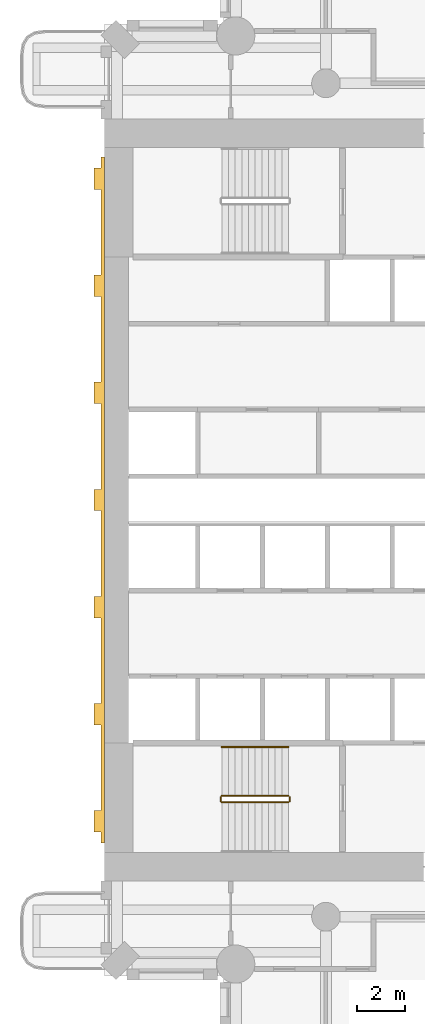
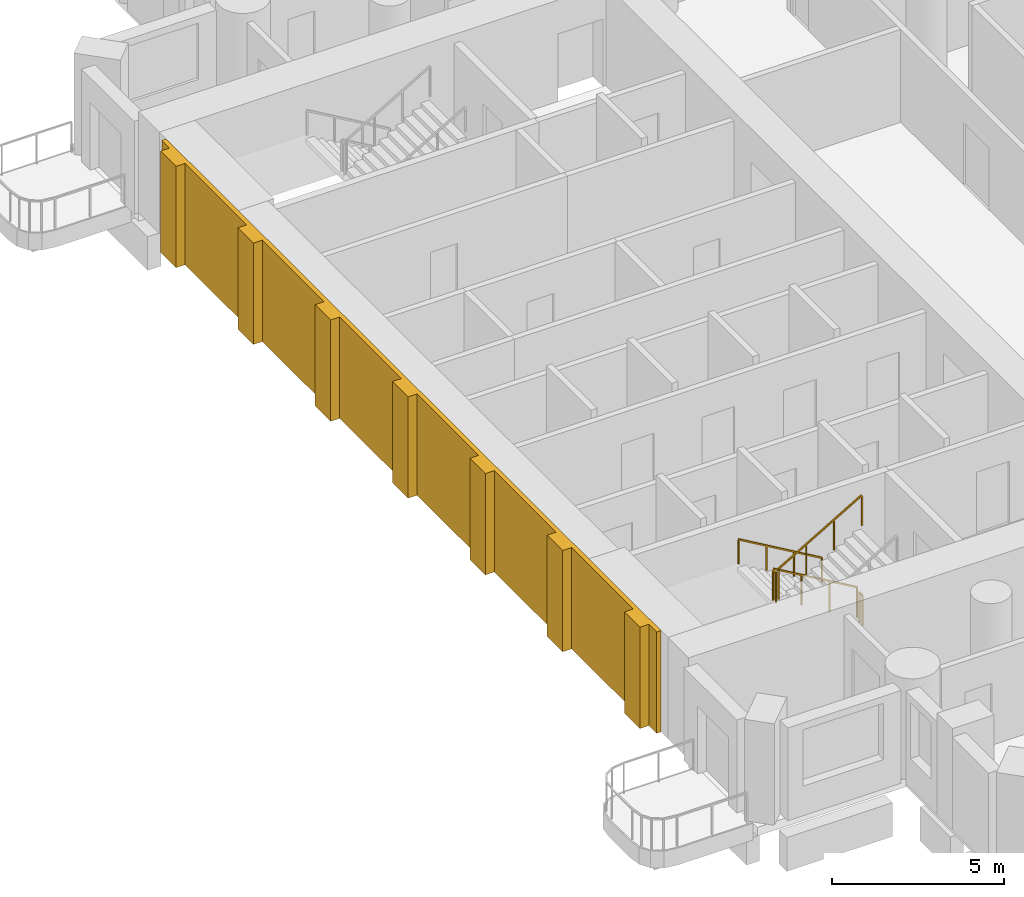
# One storey, part 14 of 20: 5 railings, 1 covering.
"""IFC4 building model written with IfcOpenShell, lengths in metres."""

from ifc_helpers import new_model, si_unit, direction, frame, origin, origin_2d, place, context, subcontext, project, spatial, polyline, rectangle, outline, extrude, material, layer, layer_set, type_object, element, save


model = new_model("IFC4")

# Units and contexts
model_context = context("Model", 3, precision=1e-05, world=origin(), true_north=direction((0.0, 1.0)))
body_context = subcontext(model_context, "Body", "Model", "MODEL_VIEW")
ifc_project = project(units=[si_unit("LENGTHUNIT", "METRE"), si_unit("AREAUNIT", "SQUARE_METRE"), si_unit("VOLUMEUNIT", "CUBIC_METRE"), si_unit("PLANEANGLEUNIT", "RADIAN"), si_unit("MASSUNIT", "GRAM", prefix="KILO")], contexts=[model_context])

# Site, building, storey
site_placement = place(None, origin())
site = spatial("IfcSite", under=ifc_project, at=site_placement, CompositionType="ELEMENT")
building_placement = place(site_placement, origin())
building = spatial("IfcBuilding", under=site, at=building_placement, Name="Cypress Arch Tower", CompositionType="ELEMENT")
storey_placement = place(building_placement, frame((0.0, 0.0, 59.10009765625)))
storey = spatial("IfcBuildingStorey", under=building, at=storey_placement, Name="L08", CompositionType="ELEMENT", Elevation=59.10009765625)

# Railings
ifc_material_1 = material(Name="Black powder-coated steel square bar 48 mm", Category="steel")
railing_type_1 = type_object("IfcRailingType", Name="Stair handrail HR1", PredefinedType="HANDRAIL", material=ifc_material_1)
railing_1_placement = place(storey_placement, frame((-22.27490234375, -10.375, 0.16357421875)))
element("IfcRailing", 1, at=railing_1_placement, inside=storey, type_object=railing_type_1, Name="L08 A stair handrail 1", PredefinedType="HANDRAIL", context=body_context, shape_type="SweptSolid", body=[
    extrude(rectangle(XDim=0.048095703125, YDim=0.048095703125, at=origin_2d()), frame((0.0, 0.0, 0.8759765625), z_axis=(-0.863393664356, 0.0, 0.504530851732), x_axis=(0.0, -1.0, 0.0)), (0.0, 0.0, 1.0), 3.2431640625),
    extrude(rectangle(XDim=0.0419921875, YDim=0.0419921875, at=origin_2d()), origin(), (0.0, 0.0, 1.0), 0.851806640625),
    extrude(rectangle(XDim=0.0419921875, YDim=0.0419921875, at=origin_2d()), frame((-0.933349609375, 0.0, 0.54541015625)), (0.0, 0.0, 1.0), 0.851806640625),
    extrude(rectangle(XDim=0.0419921875, YDim=0.0419921875, at=origin_2d()), frame((-1.86669921875, 0.0, 1.0908203125)), (0.0, 0.0, 1.0), 0.851806640625),
    extrude(rectangle(XDim=0.0419921875, YDim=0.0419921875, at=origin_2d()), frame((-2.800048828125, 0.0, 1.63623046875)), (0.0, 0.0, 1.0), 0.851806640625),
])
ifc_material_2 = material(Name="Black powder-coated steel balusters", Category="steel")
railing_type_2 = type_object("IfcRailingType", Name="Stair well guard G1", PredefinedType="GUARDRAIL", material=ifc_material_2)
railing_2_placement = place(storey_placement, frame((-22.27490234375, -12.425048828125, 0.16357421875)))
element("IfcRailing", 2, at=railing_2_placement, inside=storey, type_object=railing_type_2, Name="L08 A stair guard 1", PredefinedType="GUARDRAIL", context=body_context, shape_type="SweptSolid", body=[
    extrude(rectangle(XDim=0.048095703125, YDim=0.048095703125, at=origin_2d()), frame((0.0, 0.0, 1.076171875), z_axis=(-0.863393664356, 0.0, 0.504530851732), x_axis=(0.0, -1.0, 0.0)), (0.0, 0.0, 1.0), 3.2431640625),
    extrude(rectangle(XDim=0.0419921875, YDim=0.0419921875, at=origin_2d()), origin(), (0.0, 0.0, 1.0), 1.052001953125),
    extrude(rectangle(XDim=0.0419921875, YDim=0.0419921875, at=origin_2d()), frame((-0.933349609375, 0.0, 0.54541015625)), (0.0, 0.0, 1.0), 1.052001953125),
    extrude(rectangle(XDim=0.0419921875, YDim=0.0419921875, at=origin_2d()), frame((-1.86669921875, 0.0, 1.0908203125)), (0.0, 0.0, 1.0), 1.052001953125),
    extrude(rectangle(XDim=0.0419921875, YDim=0.0419921875, at=origin_2d()), frame((-2.800048828125, 0.0, 1.63623046875)), (0.0, 0.0, 1.0), 1.052001953125),
])
railing_3_placement = place(storey_placement, frame((-25.125, -12.47509765625, 1.7998046875)))
element("IfcRailing", 3, at=railing_3_placement, inside=storey, type_object=railing_type_2, Name="L08 A stair guard 2", PredefinedType="GUARDRAIL", context=body_context, shape_type="SweptSolid", body=[
    extrude(rectangle(XDim=0.048095703125, YDim=0.048095703125, at=origin_2d()), frame((0.0, 0.0, 1.076171875), z_axis=(0.0, -1.0, 0.0), x_axis=(1.0, 0.0, 0.0)), (0.0, 0.0, 1.0), 0.1748046875),
    extrude(rectangle(XDim=0.0419921875, YDim=0.0419921875, at=origin_2d()), origin(), (0.0, 0.0, 1.0), 1.052001953125),
    extrude(rectangle(XDim=0.0419921875, YDim=0.0419921875, at=origin_2d()), frame((0.0, -0.1748046875, 0.0)), (0.0, 0.0, 1.0), 1.052001953125),
])
railing_4_placement = place(storey_placement, frame((-25.074951171875, -12.699951171875, 1.963623046875)))
element("IfcRailing", 4, at=railing_4_placement, inside=storey, type_object=railing_type_2, Name="L08 A stair guard 3", PredefinedType="GUARDRAIL", context=body_context, shape_type="SweptSolid", body=[
    extrude(rectangle(XDim=0.048095703125, YDim=0.048095703125, at=origin_2d()), frame((0.0, 0.0, 1.076171875), z_axis=(0.863393664356, 0.0, 0.504530851732), x_axis=(0.0, 1.0, 0.0)), (0.0, 0.0, 1.0), 3.2431640625),
    extrude(rectangle(XDim=0.0419921875, YDim=0.0419921875, at=origin_2d()), origin(), (0.0, 0.0, 1.0), 1.052001953125),
    extrude(rectangle(XDim=0.0419921875, YDim=0.0419921875, at=origin_2d()), frame((0.933349609375, 0.0, 0.54541015625)), (0.0, 0.0, 1.0), 1.052001953125),
    extrude(rectangle(XDim=0.0419921875, YDim=0.0419921875, at=origin_2d()), frame((1.86669921875, 0.0, 1.0908203125)), (0.0, 0.0, 1.0), 1.052001953125),
    extrude(rectangle(XDim=0.0419921875, YDim=0.0419921875, at=origin_2d()), frame((2.800048828125, 0.0, 1.63623046875)), (0.0, 0.0, 1.0), 1.052001953125),
])
railing_5_placement = place(storey_placement, frame((-22.22509765625, -12.47509765625, 0.0)))
element("IfcRailing", 5, at=railing_5_placement, inside=storey, type_object=railing_type_2, Name="L08 A stair guard 4", PredefinedType="GUARDRAIL", context=body_context, shape_type="SweptSolid", body=[
    extrude(rectangle(XDim=0.048095703125, YDim=0.048095703125, at=origin_2d()), frame((0.0, 0.0, 1.076171875), z_axis=(0.0, -1.0, 0.0), x_axis=(1.0, 0.0, 0.0)), (0.0, 0.0, 1.0), 0.1748046875),
    extrude(rectangle(XDim=0.0419921875, YDim=0.0419921875, at=origin_2d()), origin(), (0.0, 0.0, 1.0), 1.052001953125),
    extrude(rectangle(XDim=0.0419921875, YDim=0.0419921875, at=origin_2d()), frame((0.0, -0.1748046875, 0.0)), (0.0, 0.0, 1.0), 1.052001953125),
])

# Covering
ifc_material_3 = material(Name="Brick (red buff blend)", Category="masonry")
ifc_layer = layer(ifc_material_3, 0.449951171875)
ifc_layer_set = layer_set([ifc_layer], Name="West face brick piers WP450")
covering_type = type_object("IfcCoveringType", Name="West face brick piers WP450", PredefinedType="CLADDING", material=ifc_layer_set)
covering_placement = place(storey_placement, origin())
element("IfcCovering", 6, at=covering_placement, inside=storey, type_object=covering_type, Name="West face brick piers L08", PredefinedType="CLADDING", context=body_context, shape_type="SweptSolid", body=[
    extrude(outline(polyline([(-30.14990234375, -13.050048828125), (-30.14990234375, -9.449951171875), (-30.449951171875, -9.449951171875), (-30.449951171875, -8.550048828125), (-30.14990234375, -8.550048828125), (-30.14990234375, -4.949951171875), (-30.449951171875, -4.949951171875), (-30.449951171875, -4.050048828125), (-30.14990234375, -4.050048828125), (-30.14990234375, -0.449951171875), (-30.449951171875, -0.449951171875), (-30.449951171875, 0.449951171875), (-30.14990234375, 0.449951171875), (-30.14990234375, 4.050048828125), (-30.449951171875, 4.050048828125), (-30.449951171875, 4.949951171875), (-30.14990234375, 4.949951171875), (-30.14990234375, 8.550048828125), (-30.449951171875, 8.550048828125), (-30.449951171875, 9.449951171875), (-30.14990234375, 9.449951171875), (-30.14990234375, 13.050048828125), (-30.449951171875, 13.050048828125), (-30.449951171875, 13.949951171875), (-30.14990234375, 13.949951171875), (-30.14990234375, 14.39990234375), (-30.0, 14.39990234375), (-30.0, -14.39990234375), (-30.14990234375, -14.39990234375), (-30.14990234375, -13.949951171875), (-30.449951171875, -13.949951171875), (-30.449951171875, -13.050048828125), (-30.14990234375, -13.050048828125)])), origin(), (0.0, 0.0, 1.0), 3.599853515625),
])

save(model, "model.ifc")
